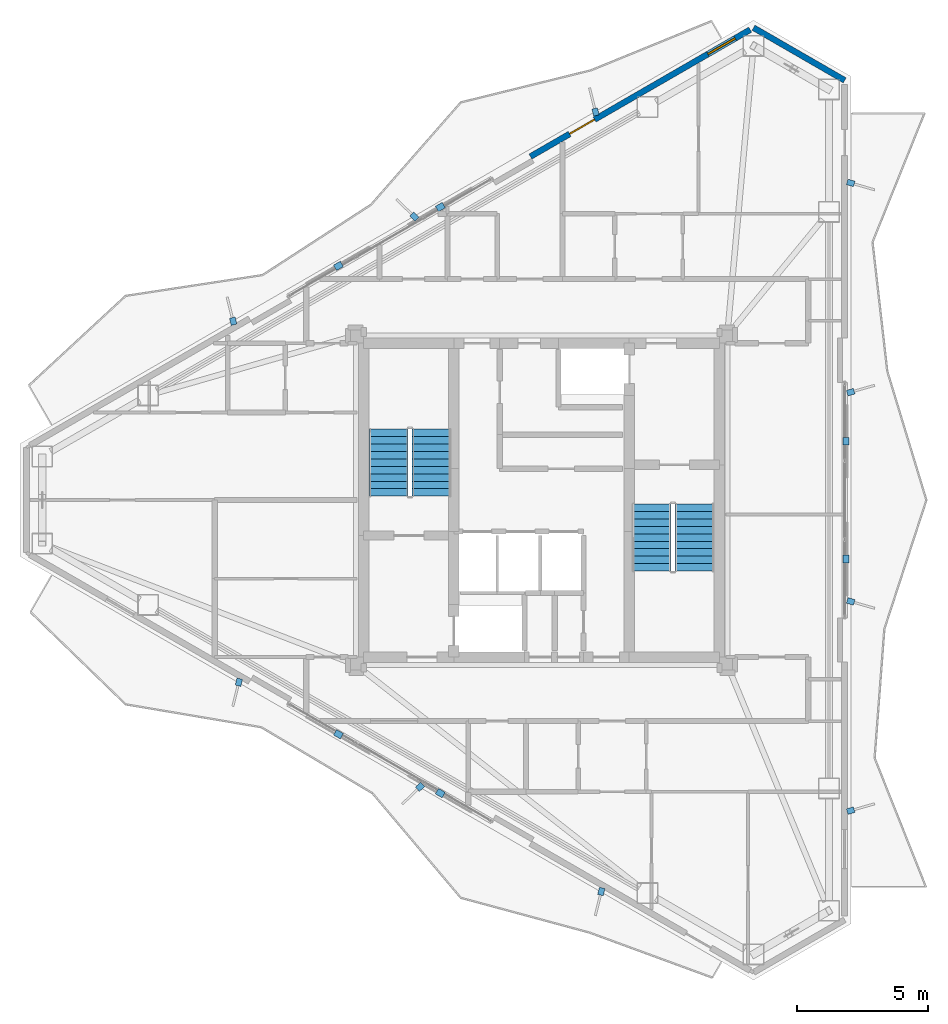
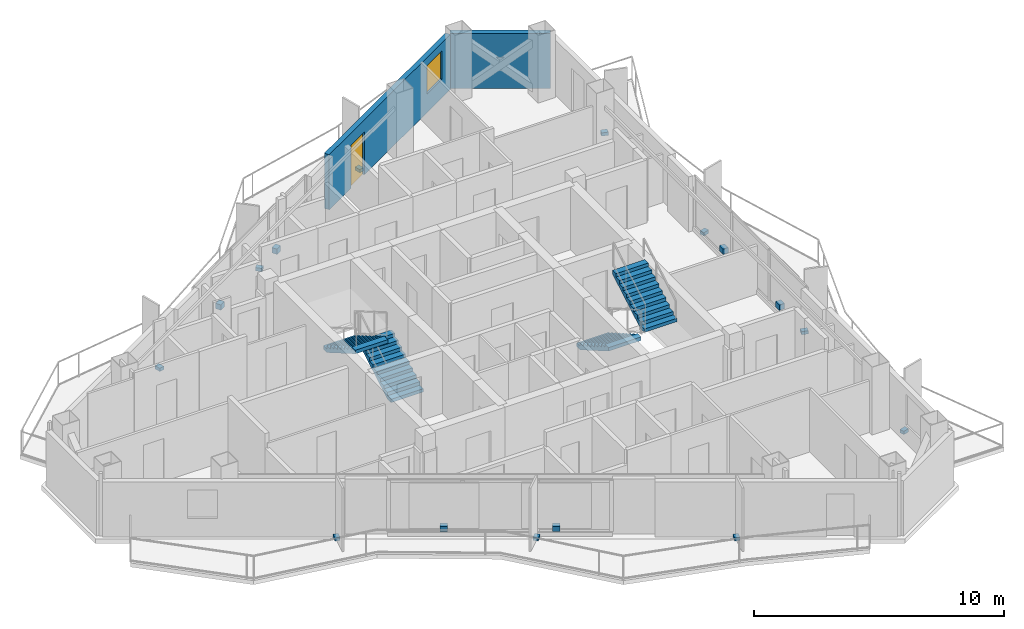
# One storey, part 20 of 22: 16 discrete accessories, 4 stair flights, 2 walls, 1 door, 1 window, 2 openings, 2 elements without a shape of their own.
"""IFC4 building model written with IfcOpenShell, lengths in metres."""

from ifc_helpers import new_model, si_unit, direction, frame, frame_2d, origin, origin_2d, place, context, subcontext, project, spatial, polyline, rectangle, outline, extrude, material, layer, layer_set, type_object, element, fill, aggregate, save


model = new_model("IFC4")

# Units and contexts
model_context = context("Model", 3, precision=1e-05, world=origin(), true_north=direction((0.0, 1.0)))
body_context = subcontext(model_context, "Body", "Model", "MODEL_VIEW")
ifc_project = project(units=[si_unit("LENGTHUNIT", "METRE"), si_unit("AREAUNIT", "SQUARE_METRE"), si_unit("VOLUMEUNIT", "CUBIC_METRE"), si_unit("PLANEANGLEUNIT", "RADIAN"), si_unit("MASSUNIT", "GRAM", prefix="KILO")], contexts=[model_context])

# Site, building, storey
site_placement = place(None, origin())
site = spatial("IfcSite", under=ifc_project, at=site_placement, CompositionType="ELEMENT")
building_placement = place(site_placement, origin())
building = spatial("IfcBuilding", under=site, at=building_placement, Name="Mersakhor Tower and Convention Hall", CompositionType="ELEMENT")
storey_placement = place(building_placement, frame((0.0, 0.0, 201.89990234375)))
storey = spatial("IfcBuildingStorey", under=building, at=storey_placement, Name="L56", CompositionType="ELEMENT", Elevation=201.89990234375)

# Wall
ifc_material_1 = material(Name="Precast concrete C40/50", Category="concrete")
ifc_layer_1 = layer(ifc_material_1, 0.22509765625)
ifc_layer_set_1 = layer_set([ifc_layer_1], Name="Precast concrete C40/50")
wall_type = type_object("IfcWallType", Name="WL-EXT-225", PredefinedType="SOLIDWALL", material=ifc_layer_set_1)
wall_1_placement = place(storey_placement, frame((37.10400390625, 44.81005859375, 0.0), z_axis=(0.0, 0.0, 1.0), x_axis=(0.866023907196, -0.500002592159, 0.0)))
element("IfcWall", 1, at=wall_1_placement, inside=storey, type_object=wall_type, Name="L56 Chamfer Braced Spandrel Wall C1", PredefinedType="SOLIDWALL", context=body_context, shape_type="SweptSolid", body=[
    extrude(rectangle(XDim=4.0234375, YDim=0.22509765625, at=frame_2d((2.01171875, 0.0))), origin(), (0.0, 0.0, 1.0), 2.690185546875),
])

# Wall, openings, door, window
wall_2_placement = place(storey_placement, frame((28.57470703125, 39.885498046875, 0.0), z_axis=(0.0, 0.0, 1.0), x_axis=(0.866016233231, 0.500015883528, 0.0)))
wall_2 = element("IfcWall", 2, at=wall_2_placement, inside=storey, type_object=wall_type, Name="L56 Exterior Facade Wall F1-B3", PredefinedType="SOLIDWALL", context=body_context, shape_type="SweptSolid", body=[
    extrude(rectangle(XDim=9.698974609375, YDim=0.22509765625, at=frame_2d((4.849609375, 0.0))), origin(), (0.0, 0.0, 1.0), 2.690185546875),
])
opening_1_placement = place(wall_2_placement, frame((1.72998046875, 0.0, 0.0)))
opening_1 = element("IfcOpeningElement", 3, at=opening_1_placement, cuts=wall_2, Name="Opening BD-02", PredefinedType="OPENING", context=body_context, shape_type="SweptSolid", body=[
    extrude(rectangle(XDim=1.10009765625, YDim=2.10009765625, at=frame_2d((0.550048828125, 1.050048828125))), frame((0.0, 0.12255859375, 0.0), z_axis=(0.0, -1.0, 0.0), x_axis=(1.0, 0.0, 0.0)), (0.0, 0.0, 1.0), 0.2451171875),
])
opening_2_placement = place(wall_2_placement, frame((7.8359375, 0.0, 0.89990234375)))
opening_2 = element("IfcOpeningElement", 4, at=opening_2_placement, cuts=wall_2, Name="Opening W-01", PredefinedType="OPENING", context=body_context, shape_type="SweptSolid", body=[
    extrude(rectangle(XDim=1.199951171875, YDim=1.39990234375, at=frame_2d((0.60009765625, 0.699951171875))), frame((0.0, 0.12255859375, 0.0), z_axis=(0.0, -1.0, 0.0), x_axis=(1.0, 0.0, 0.0)), (0.0, 0.0, 1.0), 0.2451171875),
])
ifc_material_2 = material(Name="Thermally broken dark aluminium and safety glass", Category="aluminium")
door_type = type_object("IfcDoorType", Name="DR-BAL-110x210", OperationType="NOTDEFINED", PredefinedType="DOOR", material=ifc_material_2)
door_placement = place(opening_1_placement, origin())
door = element("IfcDoor", 5, at=door_placement, inside=storey, type_object=door_type, Name="L56 Balcony Terrace Door F1-B3", OperationType="SINGLE_SWING_RIGHT", OverallHeight=2.10009765625, OverallWidth=1.10009765625, PredefinedType="DOOR", context=body_context, shape_type="SweptSolid", body=[
    extrude(rectangle(XDim=1.10009765625, YDim=2.10009765625, at=frame_2d((0.550048828125, 1.050048828125))), frame((0.0, 0.02490234375, 0.0), z_axis=(0.0, -1.0, 0.0), x_axis=(1.0, 0.0, 0.0)), (0.0, 0.0, 1.0), 0.050048828125),
])
fill(opening_1, door)
ifc_material_3 = material(Name="Dark solar low-E glazed aluminium window", Category="aluminium")
window_type = type_object("IfcWindowType", Name="WN-RES-120x150", PartitioningType="SINGLE_PANEL", PredefinedType="WINDOW", material=ifc_material_3)
window_placement = place(opening_2_placement, origin())
window = element("IfcWindow", 6, at=window_placement, inside=storey, type_object=window_type, Name="L56 Bedroom Facade Window F1-B3-1", OverallHeight=1.39990234375, OverallWidth=1.199951171875, PartitioningType="SINGLE_PANEL", PredefinedType="WINDOW", context=body_context, shape_type="SweptSolid", body=[
    extrude(rectangle(XDim=1.199951171875, YDim=1.39990234375, at=frame_2d((0.60009765625, 0.699951171875))), frame((0.0, 0.030029296875, 0.0), z_axis=(0.0, -1.0, 0.0), x_axis=(1.0, 0.0, 0.0)), (0.0, 0.0, 1.0), 0.06005859375),
])
fill(opening_2, window)

# Stair, stair flights
ifc_material_4 = material(Name="Concrete C45/55", Category="concrete")
stair_type = type_object("IfcStairType", Name="ST-TWR-20R", PredefinedType="HALF_TURN_STAIR", material=ifc_material_4)
stair_1_placement = place(storey_placement, origin())
stair_1 = element("IfcStair", 7, at=stair_1_placement, inside=storey, type_object=stair_type, Name="L56 Tower Protected Exit Stair ST-1", PredefinedType="HALF_TURN_STAIR")
ifc_material_5 = material(Name="Concrete C45/55", Category="concrete")
stair_flight_type = type_object("IfcStairFlightType", Name="SFL-TWR-20R", PredefinedType="STRAIGHT", material=ifc_material_5)
stair_flight_1_placement = place(storey_placement, frame((24.800048828125, 26.89990234375, 0.0), z_axis=(0.0, 0.0, 1.0), x_axis=(0.0, 1.0, 0.0)))
stair_flight_1 = element("IfcStairFlight", 8, at=stair_flight_1_placement, type_object=stair_flight_type, Name="ST-1 flight 1", NumberOfRisers=10, NumberOfTreads=9, PredefinedType="STRAIGHT", RiserHeight=0.165, TreadLength=0.285, context=body_context, shape_type="SweptSolid", body=[
    extrude(outline(polyline([(0.0, 0.0), (0.0, 0.1650390625), (0.284912109375, 0.1650390625), (0.284912109375, 0.330078125), (0.570068359375, 0.330078125), (0.570068359375, 0.4951171875), (0.85498046875, 0.4951171875), (0.85498046875, 0.659912109375), (1.139892578125, 0.659912109375), (1.139892578125, 0.824951171875), (1.425048828125, 0.824951171875), (1.425048828125, 0.989990234375), (1.7099609375, 0.989990234375), (1.7099609375, 1.155029296875), (1.9951171875, 1.155029296875), (1.9951171875, 1.320068359375), (2.280029296875, 1.320068359375), (2.280029296875, 1.485107421875), (2.56494140625, 1.485107421875), (2.56494140625, 1.64990234375), (2.56494140625, 1.311767578125), (0.299072265625, 0.0), (0.0, 0.0)])), frame((0.0, 0.75, 0.0), z_axis=(0.0, -1.0, 0.0), x_axis=(1.0, 0.0, 0.0)), (0.0, 0.0, 1.0), 1.5),
])
stair_flight_2_placement = place(storey_placement, frame((23.14990234375, 29.465087890625, 1.650146484375), z_axis=(0.0, 0.0, 1.0), x_axis=(0.0, -1.0, 0.0)))
stair_flight_2 = element("IfcStairFlight", 9, at=stair_flight_2_placement, type_object=stair_flight_type, Name="ST-1 flight 2", NumberOfRisers=10, NumberOfTreads=9, PredefinedType="STRAIGHT", RiserHeight=0.165, TreadLength=0.285, context=body_context, shape_type="SweptSolid", body=[
    extrude(outline(polyline([(0.0, 0.0), (0.0, 0.1650390625), (0.284912109375, 0.1650390625), (0.284912109375, 0.330078125), (0.570068359375, 0.330078125), (0.570068359375, 0.4951171875), (0.85498046875, 0.4951171875), (0.85498046875, 0.659912109375), (1.139892578125, 0.659912109375), (1.139892578125, 0.824951171875), (1.425048828125, 0.824951171875), (1.425048828125, 0.989990234375), (1.7099609375, 0.989990234375), (1.7099609375, 1.155029296875), (1.9951171875, 1.155029296875), (1.9951171875, 1.320068359375), (2.280029296875, 1.320068359375), (2.280029296875, 1.485107421875), (2.56494140625, 1.485107421875), (2.56494140625, 1.64990234375), (2.56494140625, 1.311767578125), (0.299072265625, 0.0), (0.0, 0.0)])), frame((0.0, 0.75, 0.0), z_axis=(0.0, -1.0, 0.0), x_axis=(1.0, 0.0, 0.0)), (0.0, 0.0, 1.0), 1.5),
])
aggregate(stair_1, [stair_flight_1, stair_flight_2])

stair_2_placement = place(storey_placement, origin())
stair_2 = element("IfcStair", 10, at=stair_2_placement, inside=storey, type_object=stair_type, Name="L56 Tower Protected Exit Stair ST-2", PredefinedType="HALF_TURN_STAIR")
stair_flight_3_placement = place(storey_placement, frame((33.199951171875, 26.60009765625, 0.0), z_axis=(0.0, 0.0, 1.0), x_axis=(0.0, -1.0, 0.0)))
stair_flight_3 = element("IfcStairFlight", 11, at=stair_flight_3_placement, type_object=stair_flight_type, Name="ST-2 flight 1", NumberOfRisers=10, NumberOfTreads=9, PredefinedType="STRAIGHT", RiserHeight=0.165, TreadLength=0.285, context=body_context, shape_type="SweptSolid", body=[
    extrude(outline(polyline([(0.0, 0.0), (0.0, 0.1650390625), (0.284912109375, 0.1650390625), (0.284912109375, 0.330078125), (0.570068359375, 0.330078125), (0.570068359375, 0.4951171875), (0.85498046875, 0.4951171875), (0.85498046875, 0.659912109375), (1.139892578125, 0.659912109375), (1.139892578125, 0.824951171875), (1.425048828125, 0.824951171875), (1.425048828125, 0.989990234375), (1.7099609375, 0.989990234375), (1.7099609375, 1.155029296875), (1.9951171875, 1.155029296875), (1.9951171875, 1.320068359375), (2.280029296875, 1.320068359375), (2.280029296875, 1.485107421875), (2.56494140625, 1.485107421875), (2.56494140625, 1.64990234375), (2.56494140625, 1.311767578125), (0.299072265625, 0.0), (0.0, 0.0)])), frame((0.0, 0.75, 0.0), z_axis=(0.0, -1.0, 0.0), x_axis=(1.0, 0.0, 0.0)), (0.0, 0.0, 1.0), 1.5),
])
stair_flight_4_placement = place(storey_placement, frame((34.85009765625, 24.034912109375, 1.650146484375), z_axis=(0.0, 0.0, 1.0), x_axis=(0.0, 1.0, 0.0)))
stair_flight_4 = element("IfcStairFlight", 12, at=stair_flight_4_placement, type_object=stair_flight_type, Name="ST-2 flight 2", NumberOfRisers=10, NumberOfTreads=9, PredefinedType="STRAIGHT", RiserHeight=0.165, TreadLength=0.285, context=body_context, shape_type="SweptSolid", body=[
    extrude(outline(polyline([(0.0, 0.0), (0.0, 0.1650390625), (0.284912109375, 0.1650390625), (0.284912109375, 0.330078125), (0.570068359375, 0.330078125), (0.570068359375, 0.4951171875), (0.85498046875, 0.4951171875), (0.85498046875, 0.659912109375), (1.139892578125, 0.659912109375), (1.139892578125, 0.824951171875), (1.425048828125, 0.824951171875), (1.425048828125, 0.989990234375), (1.7099609375, 0.989990234375), (1.7099609375, 1.155029296875), (1.9951171875, 1.155029296875), (1.9951171875, 1.320068359375), (2.280029296875, 1.320068359375), (2.280029296875, 1.485107421875), (2.56494140625, 1.485107421875), (2.56494140625, 1.64990234375), (2.56494140625, 1.311767578125), (0.299072265625, 0.0), (0.0, 0.0)])), frame((0.0, 0.75, 0.0), z_axis=(0.0, -1.0, 0.0), x_axis=(1.0, 0.0, 0.0)), (0.0, 0.0, 1.0), 1.5),
])
aggregate(stair_2, [stair_flight_3, stair_flight_4])

# Discrete accessories
ifc_material_6 = material(Name="Galvanised steel bracket", Category="steel")
ifc_layer_2 = layer(ifc_material_6, 0.02001953125)
ifc_layer_set_2 = layer_set([ifc_layer_2], Name="Galvanised steel bracket")
discrete_accessory_type = type_object("IfcDiscreteAccessoryType", Name="ACC-BRK-STL", PredefinedType="BRACKET", material=ifc_layer_set_2)
for number, where, z_axis, x_axis, name in (
    (13, (21.232421875, 35.704345703125, 0.2900390625), (0.0, 0.0, 1.0), (0.866025403784, 0.5, 0.0), "L56 Solar Screen Outrigger Bracket BRK-1-1"),
    (14, (25.129150390625, 37.9541015625, 0.2900390625), (0.0, 0.0, 1.0), (0.866025403784, 0.5, 0.0), "L56 Solar Screen Outrigger Bracket BRK-1-2"),
):
    element("IfcDiscreteAccessory", number, at=place(storey_placement, frame(where, z_axis=z_axis, x_axis=x_axis)), inside=storey, type_object=discrete_accessory_type, Name=name, PredefinedType="BRACKET", context=body_context, shape_type="SweptSolid", body=[
        extrude(rectangle(XDim=0.300048828125, YDim=0.239990234375, at=origin_2d()), origin(), (0.0, 0.0, 1.0), 0.260009765625),
    ])
for number, where, z_axis, x_axis, name in (
    (15, (17.2080078125, 33.588623046875, -0.02001953125), (0.0, 0.0, 1.0), (-0.2419218956, 0.970295726276, 0.0), "L56 Facade Fin Base Cleat Bracket FBRK-1-1"),
    (16, (24.13623046875, 37.588623046875, -0.02001953125), (0.0, 0.0, 1.0), (-0.719339800339, 0.694658370459, 0.0), "L56 Facade Fin Base Cleat Bracket FBRK-1-2"),
    (17, (31.064453125, 41.588623046875, -0.02001953125), (0.0, 0.0, 1.0), (-0.2419218956, 0.970295726276, 0.0), "L56 Facade Fin Base Cleat Bracket FBRK-1-3"),
):
    element("IfcDiscreteAccessory", number, at=place(storey_placement, frame(where, z_axis=z_axis, x_axis=x_axis)), inside=storey, type_object=discrete_accessory_type, Name=name, PredefinedType="BRACKET", context=body_context, shape_type="SweptSolid", body=[
        extrude(rectangle(XDim=0.280029296875, YDim=0.219970703125, at=origin_2d()), origin(), (0.0, 0.0, 1.0), 0.159912109375),
    ])
for number, where, z_axis, x_axis, name in (
    (18, (40.638427734375, 28.999755859375, 0.2900390625), (0.0, 0.0, 1.0), (0.0, -1.0, 0.0), "L56 Solar Screen Outrigger Bracket BRK-2-1"),
    (19, (40.638427734375, 24.500244140625, 0.2900390625), (0.0, 0.0, 1.0), (0.0, -1.0, 0.0), "L56 Solar Screen Outrigger Bracket BRK-2-2"),
):
    element("IfcDiscreteAccessory", number, at=place(storey_placement, frame(where, z_axis=z_axis, x_axis=x_axis)), inside=storey, type_object=discrete_accessory_type, Name=name, PredefinedType="BRACKET", context=body_context, shape_type="SweptSolid", body=[
        extrude(rectangle(XDim=0.300048828125, YDim=0.239990234375, at=origin_2d()), origin(), (0.0, 0.0, 1.0), 0.260009765625),
    ])
for number, where, z_axis, x_axis, name in (
    (20, (40.818359375, 38.8759765625, -0.02001953125), (0.0, 0.0, 1.0), (0.961261695938, -0.275637355817, 0.0), "L56 Facade Fin Base Cleat Bracket FBRK-2-1"),
    (21, (40.818359375, 30.8759765625, -0.02001953125), (0.0, 0.0, 1.0), (0.961261695938, 0.275637355817, 0.0), "L56 Facade Fin Base Cleat Bracket FBRK-2-2"),
    (22, (40.818359375, 22.8759765625, -0.02001953125), (0.0, 0.0, 1.0), (0.961261695938, -0.275637355817, 0.0), "L56 Facade Fin Base Cleat Bracket FBRK-2-3"),
    (23, (40.818359375, 14.8759765625, -0.02001953125), (0.0, 0.0, 1.0), (0.961261695938, 0.275637355817, 0.0), "L56 Facade Fin Base Cleat Bracket FBRK-2-4"),
):
    element("IfcDiscreteAccessory", number, at=place(storey_placement, frame(where, z_axis=z_axis, x_axis=x_axis)), inside=storey, type_object=discrete_accessory_type, Name=name, PredefinedType="BRACKET", context=body_context, shape_type="SweptSolid", body=[
        extrude(rectangle(XDim=0.280029296875, YDim=0.219970703125, at=origin_2d()), origin(), (0.0, 0.0, 1.0), 0.159912109375),
    ])
for number, where, z_axis, x_axis, name in (
    (24, (25.129150390625, 15.5458984375, 0.2900390625), (0.0, 0.0, 1.0), (-0.866025403784, 0.5, 0.0), "L56 Solar Screen Outrigger Bracket BRK-3-1"),
    (25, (21.232421875, 17.795654296875, 0.2900390625), (0.0, 0.0, 1.0), (-0.866025403784, 0.5, 0.0), "L56 Solar Screen Outrigger Bracket BRK-3-2"),
):
    element("IfcDiscreteAccessory", number, at=place(storey_placement, frame(where, z_axis=z_axis, x_axis=x_axis)), inside=storey, type_object=discrete_accessory_type, Name=name, PredefinedType="BRACKET", context=body_context, shape_type="SweptSolid", body=[
        extrude(rectangle(XDim=0.300048828125, YDim=0.239990234375, at=origin_2d()), origin(), (0.0, 0.0, 1.0), 0.260009765625),
    ])
for number, where, z_axis, x_axis, name in (
    (26, (31.282958984375, 11.785400390625, -0.02001953125), (0.0, 0.0, 1.0), (-0.2419218956, -0.970295726276, 0.0), "L56 Facade Fin Base Cleat Bracket FBRK-3-1"),
    (27, (24.354736328125, 15.785400390625, -0.02001953125), (0.0, 0.0, 1.0), (-0.719339800339, -0.694658370459, 0.0), "L56 Facade Fin Base Cleat Bracket FBRK-3-2"),
    (28, (17.426513671875, 19.785400390625, -0.02001953125), (0.0, 0.0, 1.0), (-0.2419218956, -0.970295726276, 0.0), "L56 Facade Fin Base Cleat Bracket FBRK-3-3"),
):
    element("IfcDiscreteAccessory", number, at=place(storey_placement, frame(where, z_axis=z_axis, x_axis=x_axis)), inside=storey, type_object=discrete_accessory_type, Name=name, PredefinedType="BRACKET", context=body_context, shape_type="SweptSolid", body=[
        extrude(rectangle(XDim=0.280029296875, YDim=0.219970703125, at=origin_2d()), origin(), (0.0, 0.0, 1.0), 0.159912109375),
    ])

save(model, "model.ifc")
